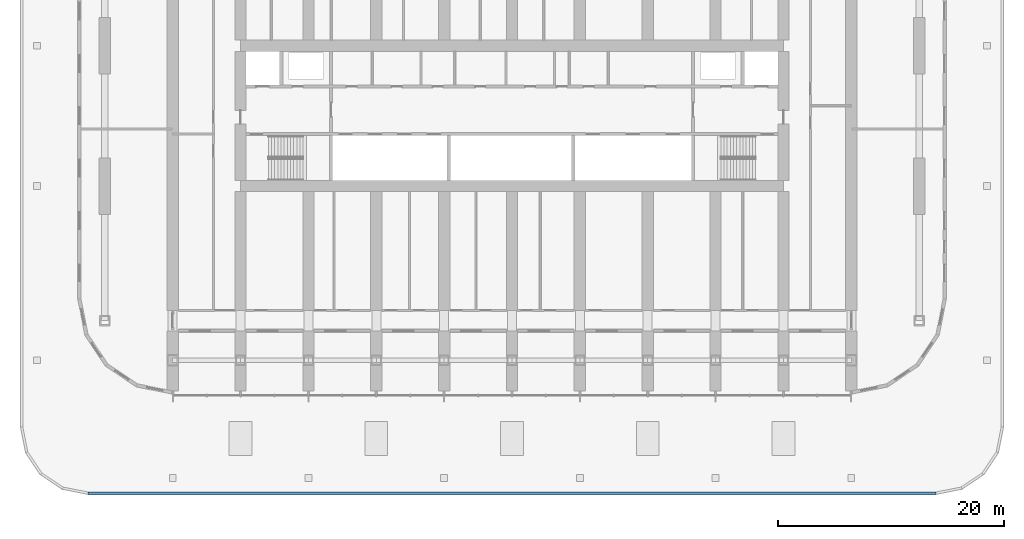
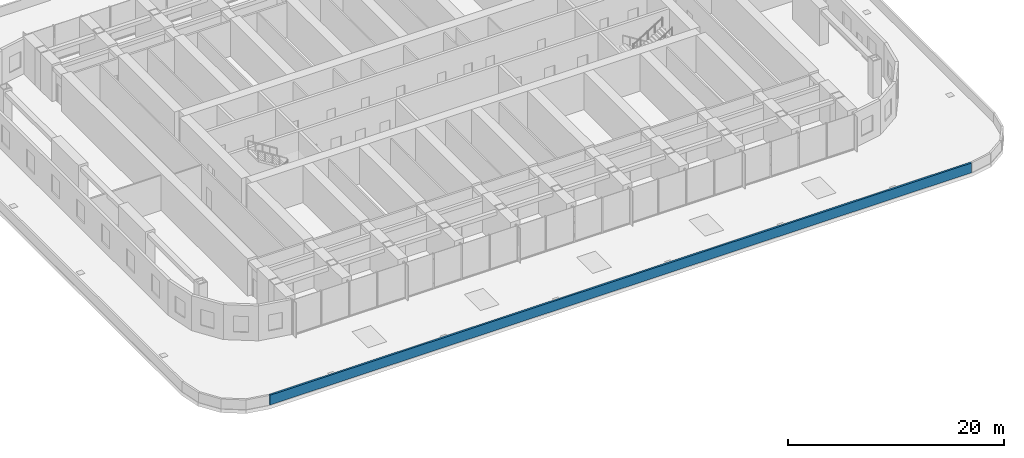
# One storey, part 10 of 23: 1 wall.
"""IFC4 building model written with IfcOpenShell, lengths in metres."""

from ifc_helpers import new_model, si_unit, direction, frame, frame_2d, origin, place, context, subcontext, project, spatial, rectangle, extrude, material, layer, layer_set, type_object, element, save


model = new_model("IFC4")

# Units and contexts
model_context = context("Model", 3, precision=1e-05, world=origin(), true_north=direction((0.0, 1.0)))
body_context = subcontext(model_context, "Body", "Model", "MODEL_VIEW")
ifc_project = project(units=[si_unit("LENGTHUNIT", "METRE"), si_unit("AREAUNIT", "SQUARE_METRE"), si_unit("VOLUMEUNIT", "CUBIC_METRE"), si_unit("PLANEANGLEUNIT", "RADIAN"), si_unit("MASSUNIT", "GRAM", prefix="KILO")], contexts=[model_context])

# Site, building, storey
site_placement = place(None, origin())
site = spatial("IfcSite", under=ifc_project, at=site_placement, CompositionType="ELEMENT")
building_placement = place(site_placement, origin())
building = spatial("IfcBuilding", under=site, at=building_placement, Name="Orbita Commons", CompositionType="ELEMENT")
storey_placement = place(building_placement, frame((0.0, 0.0, 16.0)))
storey = spatial("IfcBuildingStorey", under=building, at=storey_placement, Name="L03", CompositionType="ELEMENT", Elevation=16.0)

# Wall
ifc_material = material(Name="Precast concrete C40/50, white board-marked finish", Category="concrete")
ifc_layer = layer(ifc_material, 0.199951171875)
ifc_layer_set = layer_set([ifc_layer], Name="Precast concrete C40/50, white board-marked finish")
wall_type = type_object("IfcWallType", Name="Precast parapet 200", PredefinedType="PARAPET", material=ifc_layer_set)
wall_placement = place(storey_placement, frame((79.485107421875, -1.35009765625, 0.0), z_axis=(0.0, 0.0, 1.0), x_axis=(-1.0, 0.0, 0.0)))
element("IfcWall", 1, at=wall_placement, inside=storey, type_object=wall_type, Name="Parapet L03 1.20", PredefinedType="PARAPET", context=body_context, shape_type="SweptSolid", body=[
    extrude(rectangle(XDim=74.97021484375, YDim=0.199951171875, at=frame_2d((37.485107421875, 0.0))), origin(), (0.0, 0.0, 1.0), 1.10009765625),
])

save(model, "model.ifc")
